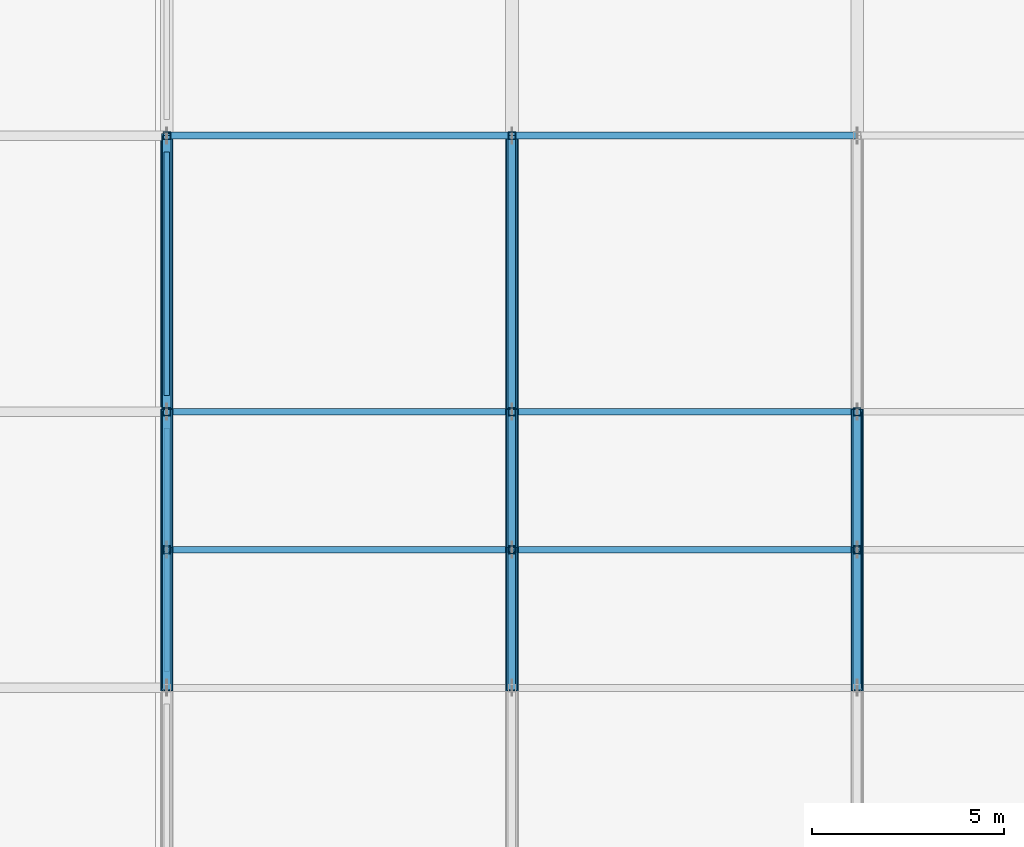
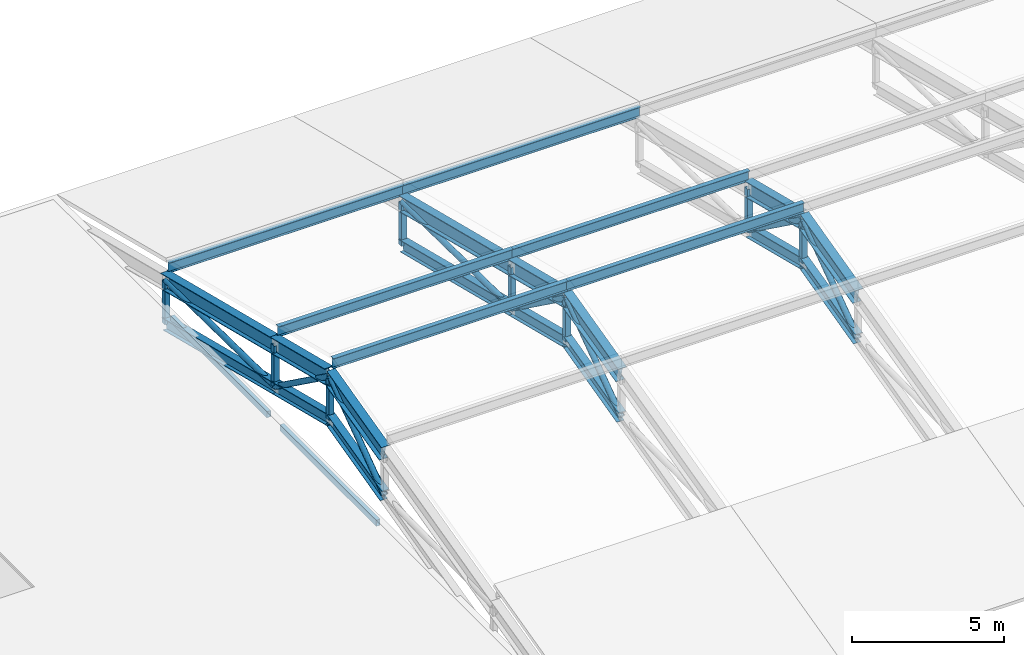
# One storey, part 40 of 124: 38 members, 2 beams.
"""IFC4 building model written with IfcOpenShell, lengths in metres."""

import ifcopenshell
import ifcopenshell.guid

model = None  # the IFC model being written
_history = None  # IfcOwnerHistory: only IFC2X3 demands one
_inside = {}  # id of a spatial element -> (the spatial element, [elements in it])
_under = {}  # id of a project, library or spatial element -> (it, [spatial elements below it])
_declared = {}  # id of a project -> (the project, [libraries it declares])
_typed = {}  # id of a type object -> (the type object, [elements of that type])
_made_of = {}  # id of a material, layer set ... -> (it, [elements and type objects made of it])


def new_model(schema):
    """Start an empty IFC model of exactly this schema.

    Asked for "IFC4X3", IfcOpenShell would pick the latest addendum, in which some entities
    have other attributes; the version numbers below select the first issue.
    IFC2X3 requires an IfcOwnerHistory on every rooted entity: one is made here for all.
    """
    global model, _history
    if schema == "IFC4X3":
        model = ifcopenshell.file(schema_version=(4, 3, 0, 0))
    else:
        model = ifcopenshell.file(schema=schema)
    _inside.clear()
    _under.clear()
    _declared.clear()
    _typed.clear()
    _made_of.clear()
    _history = None
    if model.schema == "IFC2X3":
        org = make("IfcOrganization", Name="unknown")
        user = make(
            "IfcPersonAndOrganization",
            ThePerson=make("IfcPerson", FamilyName="unknown"),
            TheOrganization=org,
        )
        app = make(
            "IfcApplication",
            ApplicationDeveloper=org,
            Version="unknown",
            ApplicationFullName="unknown",
            ApplicationIdentifier="unknown",
        )
        _history = make(
            "IfcOwnerHistory",
            OwningUser=user,
            OwningApplication=app,
            ChangeAction="ADDED",
            CreationDate=0,
        )
    return model


def make(cls, **values):
    """One entity of the class cls with the attributes given. An attribute that is None is left unset."""
    return model.create_entity(
        cls, **{name: value for name, value in values.items() if value is not None}
    )


def rooted(cls, **values):
    """An entity with a GlobalId (a new one), such as an element, a storey or a relation."""
    return make(cls, GlobalId=ifcopenshell.guid.new(), OwnerHistory=_history, **values)


def si_unit(unit_type, name, prefix=None):
    """IfcSIUnit, for example si_unit("LENGTHUNIT", "METRE", prefix="MILLI")."""
    return make("IfcSIUnit", UnitType=unit_type, Prefix=prefix, Name=name)


def assignment(units):
    """IfcUnitAssignment: the units of a project."""
    return None if units is None else make("IfcUnitAssignment", Units=units)


def point(xyz):
    """IfcCartesianPoint."""
    return None if xyz is None else make("IfcCartesianPoint", Coordinates=xyz)


def direction(xyz):
    """IfcDirection."""
    return None if xyz is None else make("IfcDirection", DirectionRatios=xyz)


def frame(location, z_axis=None, x_axis=None):
    """IfcAxis2Placement3D, a coordinate frame: its origin and axes. An axis left out is left unset."""
    return make(
        "IfcAxis2Placement3D",
        Location=point(location),
        Axis=direction(z_axis),
        RefDirection=direction(x_axis),
    )


def frame_2d(location, x_axis=None):
    """IfcAxis2Placement2D, a coordinate frame in the plane: its origin and x axis."""
    return make(
        "IfcAxis2Placement2D", Location=point(location), RefDirection=direction(x_axis)
    )


def origin():
    """The frame at (0, 0, 0) with its axes left unset."""
    return frame((0.0, 0.0, 0.0))


def origin_2d():
    """The frame at (0, 0) in the plane with its x axis left unset."""
    return frame_2d((0.0, 0.0))


def place(relative_to, where):
    """IfcLocalPlacement: puts the frame where relative to a parent placement (None: the world)."""
    return make(
        "IfcLocalPlacement", PlacementRelTo=relative_to, RelativePlacement=where
    )


def context(
    kind, dimensions, precision=None, world=None, true_north=None, identifier=None
):
    """IfcGeometricRepresentationContext, for example the 3D "Model" context."""
    return make(
        "IfcGeometricRepresentationContext",
        ContextIdentifier=identifier,
        ContextType=kind,
        CoordinateSpaceDimension=dimensions,
        Precision=precision,
        WorldCoordinateSystem=world,
        TrueNorth=true_north,
    )


def subcontext(parent, identifier, kind, view, scale=None):
    """IfcGeometricRepresentationSubContext, for example "Body" below "Model"."""
    return make(
        "IfcGeometricRepresentationSubContext",
        ContextIdentifier=identifier,
        ContextType=kind,
        ParentContext=parent,
        TargetScale=scale,
        TargetView=view,
    )


def project(units=None, contexts=None):
    """IfcProject with its units and contexts."""
    return rooted(
        "IfcProject",
        Name="project",
        RepresentationContexts=contexts,
        UnitsInContext=assignment(units),
    )


def spatial(cls, under=None, at=None, **own):
    """A site, building, storey or space (cls), placed at a placement, below another one or the project."""
    s = rooted(cls, ObjectPlacement=at, **own)
    if under is not None:
        _under.setdefault(under.id(), (under, []))[1].append(s)
    return s


def profile(cls, at=None, kind="AREA", **sizes):
    """A parametric profile (cls). Its sizes go by their IFC names, for example OverallWidth=200.0."""
    return make(cls, ProfileType=kind, Position=at, **sizes)


def hollow_rectangle(**sizes):
    """IfcRectangleHollowProfileDef."""
    return profile("IfcRectangleHollowProfileDef", **sizes)


def hollow_circle(**sizes):
    """IfcCircleHollowProfileDef."""
    return profile("IfcCircleHollowProfileDef", **sizes)


def i_section(**sizes):
    """IfcIShapeProfileDef."""
    return profile("IfcIShapeProfileDef", **sizes)


def extrude(swept, where, along, depth):
    """IfcExtrudedAreaSolid: the profile swept, set in the frame where, extruded along a direction by depth."""
    return make(
        "IfcExtrudedAreaSolid",
        SweptArea=swept,
        Position=where,
        ExtrudedDirection=direction(along),
        Depth=depth,
    )


def shape(context_of_items, identifier, shape_type, items):
    """IfcShapeRepresentation: the items that make up one representation, for example the "Body"."""
    return make(
        "IfcShapeRepresentation",
        ContextOfItems=context_of_items,
        RepresentationIdentifier=identifier,
        RepresentationType=shape_type,
        Items=items,
    )


def material(Name=None, Category=None):
    """IfcMaterial."""
    return make("IfcMaterial", Name=Name, Category=Category)


def material_profile(
    of_material, cross_section, Name=None, Category=None, Priority=None
):
    """IfcMaterialProfile: a cross section and its material."""
    return make(
        "IfcMaterialProfile",
        Name=Name,
        Material=of_material,
        Profile=cross_section,
        Priority=Priority,
        Category=Category,
    )


def profile_set(profiles, Name=None, composite=None):
    """IfcMaterialProfileSet."""
    return make(
        "IfcMaterialProfileSet",
        Name=Name,
        MaterialProfiles=profiles,
        CompositeProfile=composite,
    )


def made_of(thing, what):
    """Note that an element or type object is made of a material, layer set ...; save() writes the relation."""
    if what is not None:
        _made_of.setdefault(what.id(), (what, []))[1].append(thing)
    return thing


def type_object(cls, material=None, **own):
    """A type object (cls), such as IfcWallType, which elements share."""
    return made_of(rooted(cls, **own), material)


def element(
    cls,
    number,
    at=None,
    inside=None,
    cuts=None,
    type_object=None,
    material=None,
    context=None,
    identifier="Body",
    shape_type=None,
    held_by="IfcProductDefinitionShape",
    body=None,
    shapes=None,
    **own,
):
    """One element of the class cls, such as IfcWall. Its Tag is "e" and its number.

    at: its placement. inside: the storey or other place that contains it. cuts: it is an
    opening in that element (IfcRelVoidsElement). A single representation is given by context,
    identifier, shape_type and body (its items); several are given by shapes. held_by: the class
    of the entity that holds the representations. save() writes the other relations.
    """
    e = rooted(cls, Tag="e%d" % number, ObjectPlacement=at, **own)
    if body is not None:
        shapes = [shape(context, identifier, shape_type, body)]
    if shapes is not None:
        e.Representation = make(held_by, Representations=shapes)
    if inside is not None:
        _inside.setdefault(inside.id(), (inside, []))[1].append(e)
    if cuts is not None:
        rooted(
            "IfcRelVoidsElement", RelatingBuildingElement=cuts, RelatedOpeningElement=e
        )
    if type_object is not None:
        _typed.setdefault(type_object.id(), (type_object, []))[1].append(e)
    return made_of(e, material)


def aggregate(whole, parts):
    """IfcRelAggregates: a whole, such as a stair, and the parts it consists of."""
    return rooted("IfcRelAggregates", RelatingObject=whole, RelatedObjects=parts)


def save(model, path):
    """Write the relations noted so far, then the file.

    IfcRelAggregates (storeys below a building ...), IfcRelContainedInSpatialStructure (elements
    in a storey), IfcRelDefinesByType, IfcRelAssociatesMaterial and IfcRelDeclares: one each for
    every whole, place, type object, material and project.
    """
    for whole, parts in _under.values():
        aggregate(whole, parts)
    for where, things in _inside.values():
        rooted(
            "IfcRelContainedInSpatialStructure",
            RelatedElements=things,
            RelatingStructure=where,
        )
    for kind, things in _typed.values():
        rooted("IfcRelDefinesByType", RelatedObjects=things, RelatingType=kind)
    for what, things in _made_of.values():
        rooted("IfcRelAssociatesMaterial", RelatedObjects=things, RelatingMaterial=what)
    for by, libraries in _declared.values():
        rooted("IfcRelDeclares", RelatingContext=by, RelatedDefinitions=libraries)
    model.write(path)


model = new_model("IFC4")

# Units and contexts
model_context = context("Model", 3, precision=1e-05, world=origin(), true_north=direction((0.0, 1.0)))
body_context = subcontext(model_context, "Body", "Model", "MODEL_VIEW")
ifc_project = project(units=[si_unit("LENGTHUNIT", "METRE"), si_unit("AREAUNIT", "SQUARE_METRE"), si_unit("VOLUMEUNIT", "CUBIC_METRE"), si_unit("PLANEANGLEUNIT", "RADIAN"), si_unit("MASSUNIT", "GRAM", prefix="KILO")], contexts=[model_context])

# Site, building, storey
site_placement = place(None, origin())
site = spatial("IfcSite", under=ifc_project, at=site_placement, CompositionType="ELEMENT")
building_placement = place(site_placement, origin())
building = spatial("IfcBuilding", under=site, at=building_placement, Name="Celestram Park Convention Centre", CompositionType="ELEMENT")
storey_placement = place(building_placement, frame((0.0, 0.0, 15.300048828125)))
storey = spatial("IfcBuildingStorey", under=building, at=storey_placement, Name="L03", CompositionType="ELEMENT", Elevation=15.300048828125)

# Members
ifc_material_1 = material(Name="Steel ASTM A500 Grade C", Category="steel")
ifc_material_profile_1 = material_profile(ifc_material_1, hollow_circle(Radius=0.109619140625, WallThickness=0.008056640625, at=origin_2d()), Name="CHS219X8")
ifc_profile_set_1 = profile_set([ifc_material_profile_1], Name="Steel ASTM A500 Grade C")
member_type_1 = type_object("IfcMemberType", Name="STR-BRC-CHS219", PredefinedType="BRACE", material=ifc_profile_set_1)
for number, where, z_axis, x_axis, name in (
    (1, (162.0, 14.39990234375, 1.008056640625), (0.0, 0.810702423259, 0.585458436545), (-1.0, 0.0, 0.0), "V3 arch web diagonal"),
    (2, (162.0, 18.0, 3.60791015625), (0.0, 0.810702423259, -0.585458436545), (-1.0, 0.0, 0.0), "V3 arch web diagonal"),
):
    element("IfcMember", number, at=place(storey_placement, frame(where, z_axis=z_axis, x_axis=x_axis)), inside=storey, type_object=member_type_1, Name=name, PredefinedType="BRACE", context=body_context, shape_type="SweptSolid", body=[
        extrude(hollow_circle(Radius=0.109619140625, WallThickness=0.008056640625, at=origin_2d()), origin(), (0.0, 0.0, 1.0), 4.440673828125),
    ])
member_1_placement = place(storey_placement, frame((162.0, 21.60009765625, 1.008056640625), z_axis=(0.0, 0.999903373607, -0.013901203187), x_axis=(-1.0, 0.0, 0.0)))
element("IfcMember", 3, at=member_1_placement, inside=storey, type_object=member_type_1, Name="V3 arch web diagonal", PredefinedType="BRACE", context=body_context, shape_type="SweptSolid", body=[
    extrude(hollow_circle(Radius=0.109619140625, WallThickness=0.008056640625, at=origin_2d()), origin(), (0.0, 0.0, 1.0), 7.20068359375),
])
for number, where, z_axis, x_axis, name in (
    (4, (171.0, 14.39990234375, 1.008056640625), (0.0, 0.810702423259, 0.585458436545), (-1.0, 0.0, 0.0), "V3 arch web diagonal"),
    (5, (171.0, 18.0, 3.60791015625), (0.0, 0.810702423259, -0.585458436545), (-1.0, 0.0, 0.0), "V3 arch web diagonal"),
):
    element("IfcMember", number, at=place(storey_placement, frame(where, z_axis=z_axis, x_axis=x_axis)), inside=storey, type_object=member_type_1, Name=name, PredefinedType="BRACE", context=body_context, shape_type="SweptSolid", body=[
        extrude(hollow_circle(Radius=0.109619140625, WallThickness=0.008056640625, at=origin_2d()), origin(), (0.0, 0.0, 1.0), 4.440673828125),
    ])
member_2_placement = place(storey_placement, frame((171.0, 21.60009765625, 1.008056640625), z_axis=(0.0, 0.999903373607, -0.013901203187), x_axis=(-1.0, 0.0, 0.0)))
element("IfcMember", 6, at=member_2_placement, inside=storey, type_object=member_type_1, Name="V3 arch web diagonal", PredefinedType="BRACE", context=body_context, shape_type="SweptSolid", body=[
    extrude(hollow_circle(Radius=0.109619140625, WallThickness=0.008056640625, at=origin_2d()), origin(), (0.0, 0.0, 1.0), 7.20068359375),
])
for number, where, z_axis, x_axis, name in (
    (7, (180.0, 14.39990234375, 1.008056640625), (0.0, 0.810702423259, 0.585458436545), (-1.0, 0.0, 0.0), "V3 arch web diagonal"),
    (8, (180.0, 18.0, 3.60791015625), (0.0, 0.810702423259, -0.585458436545), (-1.0, 0.0, 0.0), "V3 arch web diagonal"),
):
    element("IfcMember", number, at=place(storey_placement, frame(where, z_axis=z_axis, x_axis=x_axis)), inside=storey, type_object=member_type_1, Name=name, PredefinedType="BRACE", context=body_context, shape_type="SweptSolid", body=[
        extrude(hollow_circle(Radius=0.109619140625, WallThickness=0.008056640625, at=origin_2d()), origin(), (0.0, 0.0, 1.0), 4.440673828125),
    ])
ifc_material_2 = material(Name="Steel ASTM A992 Grade 50", Category="steel")
ifc_material_profile_2 = material_profile(ifc_material_2, i_section(OverallWidth=0.281982421875, OverallDepth=0.467041015625, WebThickness=0.01220703125, FlangeThickness=0.01953125, at=origin_2d()), Name="W18X86")
ifc_profile_set_2 = profile_set([ifc_material_profile_2], Name="Steel ASTM A992 Grade 50")
member_type_2 = type_object("IfcMemberType", Name="STR-CHD-W18X86", PredefinedType="CHORD", material=ifc_profile_set_2)
for number, where, z_axis, x_axis, name in (
    (9, (162.0, 14.39990234375, 1.008056640625), (0.0, 0.970150239738, 0.242504664565), (-1.0, 0.0, 0.0), "V3 arch bottom chord"),
    (10, (162.0, 18.0, 1.907958984375), (0.0, 0.970150239738, -0.242504664565), (-1.0, 0.0, 0.0), "V3 arch bottom chord"),
):
    element("IfcMember", number, at=place(storey_placement, frame(where, z_axis=z_axis, x_axis=x_axis)), inside=storey, type_object=member_type_2, Name=name, PredefinedType="CHORD", context=body_context, shape_type="SweptSolid", body=[
        extrude(i_section(OverallWidth=0.281982421875, OverallDepth=0.467041015625, WebThickness=0.01220703125, FlangeThickness=0.01953125, at=origin_2d()), origin(), (0.0, 0.0, 1.0), 3.7109375),
    ])
member_3_placement = place(storey_placement, frame((162.0, 21.60009765625, 1.008056640625), z_axis=(0.0, 0.970140565046, -0.242543365301), x_axis=(-1.0, 0.0, 0.0)))
element("IfcMember", 11, at=member_3_placement, inside=storey, type_object=member_type_2, Name="V3 arch bottom chord", PredefinedType="CHORD", context=body_context, shape_type="SweptSolid", body=[
    extrude(i_section(OverallWidth=0.281982421875, OverallDepth=0.467041015625, WebThickness=0.01220703125, FlangeThickness=0.01953125, at=origin_2d()), origin(), (0.0, 0.0, 1.0), 7.421630859375),
])
for number, where, z_axis, x_axis, name in (
    (12, (171.0, 14.39990234375, 1.008056640625), (0.0, 0.970150239738, 0.242504664565), (-1.0, 0.0, 0.0), "V3 arch bottom chord"),
    (13, (171.0, 18.0, 1.907958984375), (0.0, 0.970150239738, -0.242504664565), (-1.0, 0.0, 0.0), "V3 arch bottom chord"),
):
    element("IfcMember", number, at=place(storey_placement, frame(where, z_axis=z_axis, x_axis=x_axis)), inside=storey, type_object=member_type_2, Name=name, PredefinedType="CHORD", context=body_context, shape_type="SweptSolid", body=[
        extrude(i_section(OverallWidth=0.281982421875, OverallDepth=0.467041015625, WebThickness=0.01220703125, FlangeThickness=0.01953125, at=origin_2d()), origin(), (0.0, 0.0, 1.0), 3.7109375),
    ])
member_4_placement = place(storey_placement, frame((171.0, 21.60009765625, 1.008056640625), z_axis=(0.0, 0.970140565046, -0.242543365301), x_axis=(-1.0, 0.0, 0.0)))
element("IfcMember", 14, at=member_4_placement, inside=storey, type_object=member_type_2, Name="V3 arch bottom chord", PredefinedType="CHORD", context=body_context, shape_type="SweptSolid", body=[
    extrude(i_section(OverallWidth=0.281982421875, OverallDepth=0.467041015625, WebThickness=0.01220703125, FlangeThickness=0.01953125, at=origin_2d()), origin(), (0.0, 0.0, 1.0), 7.421630859375),
])
for number, where, z_axis, x_axis, name in (
    (15, (180.0, 14.39990234375, 1.008056640625), (0.0, 0.970150239738, 0.242504664565), (-1.0, 0.0, 0.0), "V3 arch bottom chord"),
    (16, (180.0, 18.0, 1.907958984375), (0.0, 0.970150239738, -0.242504664565), (-1.0, 0.0, 0.0), "V3 arch bottom chord"),
):
    element("IfcMember", number, at=place(storey_placement, frame(where, z_axis=z_axis, x_axis=x_axis)), inside=storey, type_object=member_type_2, Name=name, PredefinedType="CHORD", context=body_context, shape_type="SweptSolid", body=[
        extrude(i_section(OverallWidth=0.281982421875, OverallDepth=0.467041015625, WebThickness=0.01220703125, FlangeThickness=0.01953125, at=origin_2d()), origin(), (0.0, 0.0, 1.0), 3.7109375),
    ])
ifc_material_profile_3 = material_profile(ifc_material_2, i_section(OverallWidth=0.327880859375, OverallDepth=0.6220703125, WebThickness=0.015380859375, FlangeThickness=0.0244140625, at=origin_2d()), Name="W24X131")
ifc_profile_set_3 = profile_set([ifc_material_profile_3], Name="Steel ASTM A992 Grade 50")
member_type_3 = type_object("IfcMemberType", Name="STR-CHD-W24X131", PredefinedType="CHORD", material=ifc_profile_set_3)
for number, where, z_axis, x_axis, name in (
    (17, (162.0, 14.39990234375, 2.7080078125), (0.0, 0.970150239738, 0.242504664565), (-1.0, 0.0, 0.0), "V3 arch top chord"),
    (18, (162.0, 18.0, 3.60791015625), (0.0, 0.970150239738, -0.242504664565), (-1.0, 0.0, 0.0), "V3 arch top chord"),
):
    element("IfcMember", number, at=place(storey_placement, frame(where, z_axis=z_axis, x_axis=x_axis)), inside=storey, type_object=member_type_3, Name=name, PredefinedType="CHORD", context=body_context, shape_type="SweptSolid", body=[
        extrude(i_section(OverallWidth=0.327880859375, OverallDepth=0.6220703125, WebThickness=0.015380859375, FlangeThickness=0.0244140625, at=origin_2d()), origin(), (0.0, 0.0, 1.0), 3.7109375),
    ])
member_5_placement = place(storey_placement, frame((162.0, 21.60009765625, 2.7080078125), z_axis=(0.0, 0.970140565046, -0.242543365301), x_axis=(-1.0, 0.0, 0.0)))
element("IfcMember", 19, at=member_5_placement, inside=storey, type_object=member_type_3, Name="V3 arch top chord", PredefinedType="CHORD", context=body_context, shape_type="SweptSolid", body=[
    extrude(i_section(OverallWidth=0.327880859375, OverallDepth=0.6220703125, WebThickness=0.015380859375, FlangeThickness=0.0244140625, at=origin_2d()), origin(), (0.0, 0.0, 1.0), 7.421630859375),
])
for number, where, z_axis, x_axis, name in (
    (20, (171.0, 14.39990234375, 2.7080078125), (0.0, 0.970150239738, 0.242504664565), (-1.0, 0.0, 0.0), "V3 arch top chord"),
    (21, (171.0, 18.0, 3.60791015625), (0.0, 0.970150239738, -0.242504664565), (-1.0, 0.0, 0.0), "V3 arch top chord"),
):
    element("IfcMember", number, at=place(storey_placement, frame(where, z_axis=z_axis, x_axis=x_axis)), inside=storey, type_object=member_type_3, Name=name, PredefinedType="CHORD", context=body_context, shape_type="SweptSolid", body=[
        extrude(i_section(OverallWidth=0.327880859375, OverallDepth=0.6220703125, WebThickness=0.015380859375, FlangeThickness=0.0244140625, at=origin_2d()), origin(), (0.0, 0.0, 1.0), 3.7109375),
    ])
member_6_placement = place(storey_placement, frame((171.0, 21.60009765625, 2.7080078125), z_axis=(0.0, 0.970140565046, -0.242543365301), x_axis=(-1.0, 0.0, 0.0)))
element("IfcMember", 22, at=member_6_placement, inside=storey, type_object=member_type_3, Name="V3 arch top chord", PredefinedType="CHORD", context=body_context, shape_type="SweptSolid", body=[
    extrude(i_section(OverallWidth=0.327880859375, OverallDepth=0.6220703125, WebThickness=0.015380859375, FlangeThickness=0.0244140625, at=origin_2d()), origin(), (0.0, 0.0, 1.0), 7.421630859375),
])
for number, where, z_axis, x_axis, name in (
    (23, (180.0, 14.39990234375, 2.7080078125), (0.0, 0.970150239738, 0.242504664565), (-1.0, 0.0, 0.0), "V3 arch top chord"),
    (24, (180.0, 18.0, 3.60791015625), (0.0, 0.970150239738, -0.242504664565), (-1.0, 0.0, 0.0), "V3 arch top chord"),
):
    element("IfcMember", number, at=place(storey_placement, frame(where, z_axis=z_axis, x_axis=x_axis)), inside=storey, type_object=member_type_3, Name=name, PredefinedType="CHORD", context=body_context, shape_type="SweptSolid", body=[
        extrude(i_section(OverallWidth=0.327880859375, OverallDepth=0.6220703125, WebThickness=0.015380859375, FlangeThickness=0.0244140625, at=origin_2d()), origin(), (0.0, 0.0, 1.0), 3.7109375),
    ])
ifc_material_profile_4 = material_profile(ifc_material_2, i_section(OverallWidth=0.177978515625, OverallDepth=0.406005859375, WebThickness=0.0078125, FlangeThickness=0.0126953125, at=origin_2d()), Name="W16X40")
ifc_profile_set_4 = profile_set([ifc_material_profile_4], Name="Steel ASTM A992 Grade 50")
member_type_4 = type_object("IfcMemberType", Name="STR-RFT-W16X40", PredefinedType="RAFTER", material=ifc_profile_set_4)
for number, where, z_axis, x_axis, name in (
    (25, (162.080078125, 18.0, 4.1220703125), (1.0, 0.0, 0.0), (0.0, 1.0, 0.0), "V3 roof purlin"),
    (26, (162.080078125, 21.60009765625, 3.221923828125), (1.0, 0.0, 0.0), (0.0, 1.0, 0.0), "V3 roof purlin"),
    (27, (162.080078125, 28.800048828125, 1.421875), (1.0, 0.0, 0.0), (0.0, 1.0, 0.0), "V3 roof purlin"),
):
    element("IfcMember", number, at=place(storey_placement, frame(where, z_axis=z_axis, x_axis=x_axis)), inside=storey, type_object=member_type_4, Name=name, PredefinedType="RAFTER", context=body_context, shape_type="SweptSolid", body=[
        extrude(i_section(OverallWidth=0.177978515625, OverallDepth=0.406005859375, WebThickness=0.0078125, FlangeThickness=0.0126953125, at=origin_2d()), origin(), (0.0, 0.0, 1.0), 8.919921875),
    ])
for number, where, z_axis, x_axis, name in (
    (28, (171.0, 18.0, 4.1220703125), (1.0, 0.0, 0.0), (0.0, 1.0, 0.0), "V3 roof purlin"),
    (29, (171.0, 21.60009765625, 3.221923828125), (1.0, 0.0, 0.0), (0.0, 1.0, 0.0), "V3 roof purlin"),
    (30, (171.0, 28.800048828125, 1.421875), (1.0, 0.0, 0.0), (0.0, 1.0, 0.0), "V3 roof purlin"),
):
    element("IfcMember", number, at=place(storey_placement, frame(where, z_axis=z_axis, x_axis=x_axis)), inside=storey, type_object=member_type_4, Name=name, PredefinedType="RAFTER", context=body_context, shape_type="SweptSolid", body=[
        extrude(i_section(OverallWidth=0.177978515625, OverallDepth=0.406005859375, WebThickness=0.0078125, FlangeThickness=0.0126953125, at=origin_2d()), origin(), (0.0, 0.0, 1.0), 9.0),
    ])

# Beams
ifc_material_profile_5 = material_profile(ifc_material_1, hollow_rectangle(XDim=0.14990234375, YDim=0.25, WallThickness=0.010009765625, at=origin_2d()), Name="HSS250X150X10")
ifc_profile_set_5 = profile_set([ifc_material_profile_5], Name="Steel ASTM A500 Grade C")
beam_type = type_object("IfcBeamType", Name="STR-SPN-HSS250X150", PredefinedType="SPANDREL", material=ifc_profile_set_5)
for number, where, z_axis, x_axis, name in (
    (31, (162.0, 14.825927734375, -0.364990234375), (0.0, 1.0, 0.0), (-1.0, 0.0, 0.0), "Primary Y-girder BG-L03-0263"),
    (32, (162.0, 22.02587890625, -0.364990234375), (0.0, 1.0, 0.0), (-1.0, 0.0, 0.0), "Primary Y-girder BG-L03-0264"),
):
    element("IfcBeam", number, at=place(storey_placement, frame(where, z_axis=z_axis, x_axis=x_axis)), inside=storey, type_object=beam_type, Name=name, PredefinedType="SPANDREL", context=body_context, shape_type="SweptSolid", body=[
        extrude(hollow_rectangle(XDim=0.14990234375, YDim=0.25, WallThickness=0.010009765625, at=origin_2d()), origin(), (0.0, 0.0, 1.0), 6.34814453125),
    ])

# Members
ifc_material_profile_6 = material_profile(ifc_material_1, hollow_rectangle(XDim=0.199951171875, YDim=0.199951171875, WallThickness=0.010009765625, at=origin_2d()), Name="HSS200X200X10")
ifc_profile_set_6 = profile_set([ifc_material_profile_6], Name="Steel ASTM A500 Grade C")
member_type_5 = type_object("IfcMemberType", Name="STR-STR-HSS200", PredefinedType="STRUT", material=ifc_profile_set_6)
for number, where, z_axis, x_axis, name in (
    (33, (162.0, 18.0, 1.907958984375), (0.0, 0.0, 1.0), (1.0, 0.0, 0.0), "V3 arch vertical strut"),
    (34, (162.0, 21.60009765625, 1.008056640625), (0.0, 0.0, 1.0), (1.0, 0.0, 0.0), "V3 arch vertical strut"),
    (35, (162.0, 28.800048828125, -0.7919921875), (0.0, 0.0, 1.0), (1.0, 0.0, 0.0), "V3 arch vertical strut"),
    (36, (171.0, 18.0, 1.907958984375), (0.0, 0.0, 1.0), (1.0, 0.0, 0.0), "V3 arch vertical strut"),
    (37, (171.0, 21.60009765625, 1.008056640625), (0.0, 0.0, 1.0), (1.0, 0.0, 0.0), "V3 arch vertical strut"),
    (38, (171.0, 28.800048828125, -0.7919921875), (0.0, 0.0, 1.0), (1.0, 0.0, 0.0), "V3 arch vertical strut"),
    (39, (180.0, 18.0, 1.907958984375), (0.0, 0.0, 1.0), (1.0, 0.0, 0.0), "V3 arch vertical strut"),
    (40, (180.0, 21.60009765625, 1.008056640625), (0.0, 0.0, 1.0), (1.0, 0.0, 0.0), "V3 arch vertical strut"),
):
    element("IfcMember", number, at=place(storey_placement, frame(where, z_axis=z_axis, x_axis=x_axis)), inside=storey, type_object=member_type_5, Name=name, PredefinedType="STRUT", context=body_context, shape_type="SweptSolid", body=[
        extrude(hollow_rectangle(XDim=0.199951171875, YDim=0.199951171875, WallThickness=0.010009765625, at=origin_2d()), origin(), (0.0, 0.0, 1.0), 1.699951171875),
    ])

save(model, "model.ifc")
